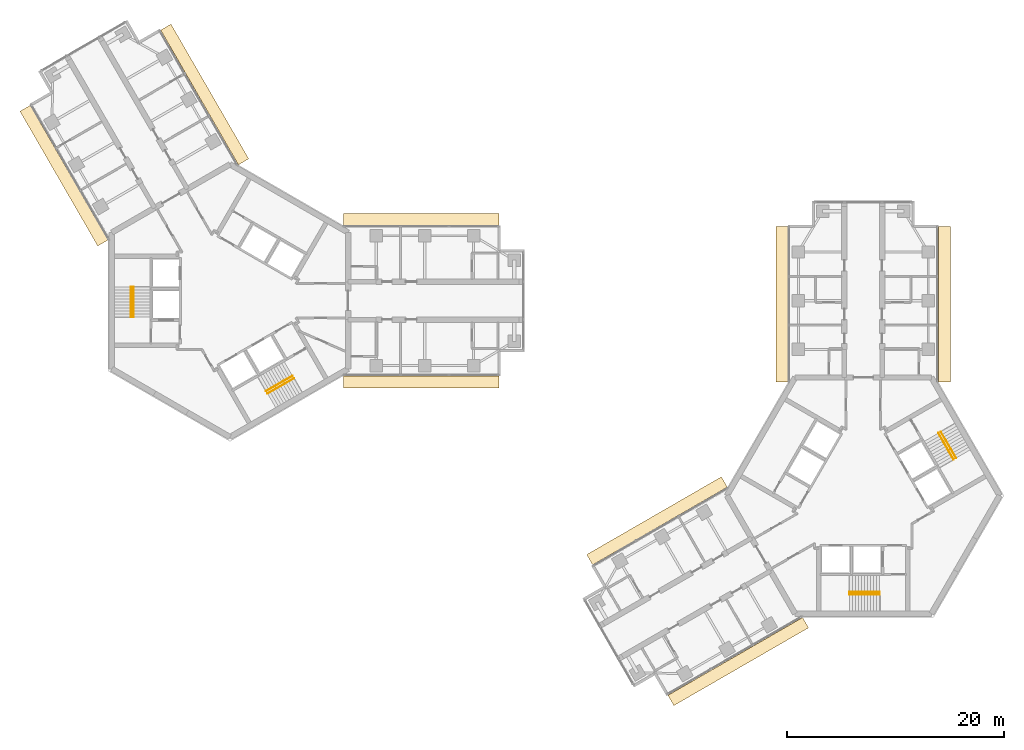
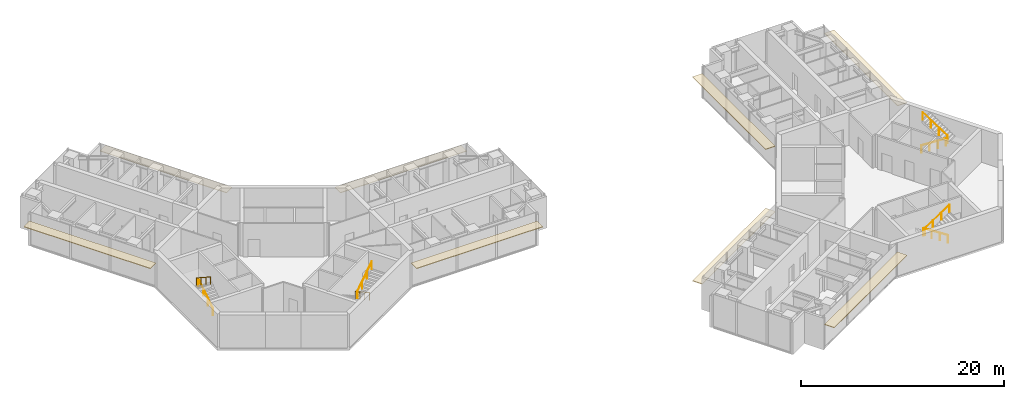
# One storey, part 17 of 17: 8 coverings, 8 railings.
"""IFC4 building model written with IfcOpenShell, lengths in metres."""

from ifc_helpers import new_model, si_unit, direction, frame, origin, origin_2d, place, context, subcontext, project, spatial, rectangle, circle, extrude, material, layer, layer_set, type_object, element, save


model = new_model("IFC4")

# Units and contexts
model_context = context("Model", 3, precision=1e-05, world=origin(), true_north=direction((0.0, 1.0)))
body_context = subcontext(model_context, "Body", "Model", "MODEL_VIEW")
ifc_project = project(units=[si_unit("LENGTHUNIT", "METRE"), si_unit("AREAUNIT", "SQUARE_METRE"), si_unit("VOLUMEUNIT", "CUBIC_METRE"), si_unit("PLANEANGLEUNIT", "RADIAN"), si_unit("MASSUNIT", "GRAM", prefix="KILO")], contexts=[model_context])

# Site, building, storey
site_placement = place(None, origin())
site = spatial("IfcSite", under=ifc_project, at=site_placement, CompositionType="ELEMENT")
building_placement = place(site_placement, origin())
building = spatial("IfcBuilding", under=site, at=building_placement, Name="Upepo Twin Towers", CompositionType="ELEMENT")
storey_placement = place(building_placement, frame((0.0, 0.0, 198.5)))
storey = spatial("IfcBuildingStorey", under=building, at=storey_placement, Name="L48", CompositionType="ELEMENT", Elevation=198.5)

# Coverings
ifc_material_1 = material(Name="Anodised aluminium, pale silver", Category="aluminium")
ifc_layer = layer(ifc_material_1, 0.080078125)
ifc_layer_set = layer_set([ifc_layer], Name="Brise-soleil blade 1100 pale aluminium")
covering_type = type_object("IfcCoveringType", Name="Brise-soleil blade 1100 pale aluminium", PredefinedType="USERDEFINED", material=ifc_layer_set)
for number, where, z_axis, x_axis, name in (
    (1, (17.66845703125, 7.50244140625, 2.909912109375), (0.0, 0.0, 1.0), (1.0, 0.0, 0.0), "T1 L48 wing A brise-soleil L"),
    (2, (17.66845703125, -7.50244140625, 2.909912109375), (0.0, 0.0, 1.0), (1.0, 0.0, 0.0), "T1 L48 wing A brise-soleil R"),
    (3, (-15.33154296875, 11.550048828125, 2.909912109375), (0.0, 0.0, 1.0), (-0.50000003023, 0.866025386331, 0.0), "T1 L48 wing B brise-soleil L"),
    (4, (-2.3369140625, 19.052734375, 2.909912109375), (0.0, 0.0, 1.0), (-0.49999996977, 0.866025421238, 0.0), "T1 L48 wing B brise-soleil R"),
    (5, (50.99755859375, -0.33154296875, 2.909912109375), (0.0, 0.0, 1.0), (0.0, 1.0, 0.0), "T2 L48 wing A brise-soleil L"),
    (6, (66.00244140625, -0.33154296875, 2.909912109375), (0.0, 0.0, 1.0), (0.0, 1.0, 0.0), "T2 L48 wing A brise-soleil R"),
    (7, (46.949951171875, -33.33154296875, 2.909912109375), (0.0, 0.0, 1.0), (-0.866025386331, -0.50000003023, 0.0), "T2 L48 wing B brise-soleil L"),
    (8, (39.447265625, -20.3369140625, 2.909912109375), (0.0, 0.0, 1.0), (-0.866025421238, -0.49999996977, 0.0), "T2 L48 wing B brise-soleil R"),
):
    element("IfcCovering", number, at=place(storey_placement, frame(where, z_axis=z_axis, x_axis=x_axis)), inside=storey, type_object=covering_type, Name=name, ObjectType="SUNSHADE", PredefinedType="USERDEFINED", context=body_context, shape_type="SweptSolid", body=[
        extrude(rectangle(XDim=14.36279296875, YDim=1.10009765625, at=origin_2d()), origin(), (0.0, 0.0, 1.0), 0.080078125),
    ])

# Railings
ifc_material_2 = material(Name="Stainless steel", Category="steel")
railing_type = type_object("IfcRailingType", Name="Stair handrail 900", PredefinedType="HANDRAIL", material=ifc_material_2)
railing_1_placement = place(storey_placement, frame((-8.89990234375, -1.52001953125, 0.181884765625)))
element("IfcRailing", 9, at=railing_1_placement, inside=storey, type_object=railing_type, Name="T1 stair S1 L48 handrail 1", PredefinedType="HANDRAIL", context=body_context, shape_type="SweptSolid", body=[
    extrude(circle(Radius=0.02392578125, at=origin_2d()), frame((0.0, 0.0, 0.8759765625), z_axis=(0.0, 0.838705829183, 0.544584733623), x_axis=(-1.0, 0.0, 0.0)), (0.0, 0.0, 1.0), 3.338623046875),
    extrude(circle(Radius=0.02099609375, at=origin_2d()), origin(), (0.0, 0.0, 1.0), 0.851806640625),
    extrude(circle(Radius=0.02099609375, at=origin_2d()), frame((0.0, 0.933349609375, 0.60595703125)), (0.0, 0.0, 1.0), 0.851806640625),
    extrude(circle(Radius=0.02099609375, at=origin_2d()), frame((0.0, 1.86669921875, 1.212158203125)), (0.0, 0.0, 1.0), 0.851806640625),
    extrude(circle(Radius=0.02099609375, at=origin_2d()), frame((0.0, 2.800048828125, 1.818115234375)), (0.0, 0.0, 1.0), 0.851806640625),
])
railing_2_placement = place(storey_placement, frame((-9.158447265625, 1.280029296875, 2.181884765625)))
element("IfcRailing", 10, at=railing_2_placement, inside=storey, type_object=railing_type, Name="T1 stair S1 L48 handrail 2", PredefinedType="HANDRAIL", context=body_context, shape_type="SweptSolid", body=[
    extrude(circle(Radius=0.02392578125, at=origin_2d()), frame((0.0, 0.0, 0.8759765625), z_axis=(0.0, -0.838705829183, 0.544584733623), x_axis=(1.0, 0.0, 0.0)), (0.0, 0.0, 1.0), 3.338623046875),
    extrude(circle(Radius=0.02099609375, at=origin_2d()), origin(), (0.0, 0.0, 1.0), 0.851806640625),
    extrude(circle(Radius=0.02099609375, at=origin_2d()), frame((0.0, -0.933349609375, 0.60595703125)), (0.0, 0.0, 1.0), 0.851806640625),
    extrude(circle(Radius=0.02099609375, at=origin_2d()), frame((0.0, -1.86669921875, 1.212158203125)), (0.0, 0.0, 1.0), 0.851806640625),
    extrude(circle(Radius=0.02099609375, at=origin_2d()), frame((0.0, -2.800048828125, 1.818115234375)), (0.0, 0.0, 1.0), 0.851806640625),
])
railing_3_placement = place(storey_placement, frame((5.766357421875, -6.947509765625, 0.181884765625)))
element("IfcRailing", 11, at=railing_3_placement, inside=storey, type_object=railing_type, Name="T1 stair S2 L48 handrail 1", PredefinedType="HANDRAIL", context=body_context, shape_type="SweptSolid", body=[
    extrude(circle(Radius=0.02392578125, at=origin_2d()), frame((0.0, 0.0, 0.8759765625), z_axis=(-0.726314030065, -0.419392968428, 0.544589265193), x_axis=(0.500049511043, -0.865996816683, 0.0)), (0.0, 0.0, 1.0), 3.338623046875),
    extrude(circle(Radius=0.02099609375, at=origin_2d()), origin(), (0.0, 0.0, 1.0), 0.851806640625),
    extrude(circle(Radius=0.02099609375, at=origin_2d()), frame((-0.808349609375, -0.466796875, 0.60595703125)), (0.0, 0.0, 1.0), 0.851806640625),
    extrude(circle(Radius=0.02099609375, at=origin_2d()), frame((-1.616455078125, -0.933349609375, 1.212158203125)), (0.0, 0.0, 1.0), 0.851806640625),
    extrude(circle(Radius=0.02099609375, at=origin_2d()), frame((-2.4248046875, -1.400146484375, 1.818115234375)), (0.0, 0.0, 1.0), 0.851806640625),
])
railing_4_placement = place(storey_placement, frame((3.470703125, -8.5712890625, 2.181884765625)))
element("IfcRailing", 12, at=railing_4_placement, inside=storey, type_object=railing_type, Name="T1 stair S2 L48 handrail 2", PredefinedType="HANDRAIL", context=body_context, shape_type="SweptSolid", body=[
    extrude(circle(Radius=0.02392578125, at=origin_2d()), frame((0.0, 0.0, 0.8759765625), z_axis=(0.726336304947, 0.419332699614, 0.544605966869), x_axis=(-0.49998411664, 0.866034573852, 0.0)), (0.0, 0.0, 1.0), 3.33837890625),
    extrude(circle(Radius=0.02099609375, at=origin_2d()), origin(), (0.0, 0.0, 1.0), 0.851806640625),
    extrude(circle(Radius=0.02099609375, at=origin_2d()), frame((0.808349609375, 0.466552734375, 0.60595703125)), (0.0, 0.0, 1.0), 0.851806640625),
    extrude(circle(Radius=0.02099609375, at=origin_2d()), frame((1.616455078125, 0.933349609375, 1.212158203125)), (0.0, 0.0, 1.0), 0.851806640625),
    extrude(circle(Radius=0.02099609375, at=origin_2d()), frame((2.4248046875, 1.39990234375, 1.818115234375)), (0.0, 0.0, 1.0), 0.851806640625),
])
railing_5_placement = place(storey_placement, frame((60.02001953125, -26.89990234375, 0.181884765625)))
element("IfcRailing", 13, at=railing_5_placement, inside=storey, type_object=railing_type, Name="T2 stair S1 L48 handrail 1", PredefinedType="HANDRAIL", context=body_context, shape_type="SweptSolid", body=[
    extrude(circle(Radius=0.02392578125, at=origin_2d()), frame((0.0, 0.0, 0.8759765625), z_axis=(-0.838705829183, 0.0, 0.544584733623), x_axis=(0.0, -1.0, 0.0)), (0.0, 0.0, 1.0), 3.338623046875),
    extrude(circle(Radius=0.02099609375, at=origin_2d()), origin(), (0.0, 0.0, 1.0), 0.851806640625),
    extrude(circle(Radius=0.02099609375, at=origin_2d()), frame((-0.933349609375, 0.0, 0.60595703125)), (0.0, 0.0, 1.0), 0.851806640625),
    extrude(circle(Radius=0.02099609375, at=origin_2d()), frame((-1.86669921875, 0.0, 1.212158203125)), (0.0, 0.0, 1.0), 0.851806640625),
    extrude(circle(Radius=0.02099609375, at=origin_2d()), frame((-2.800048828125, 0.0, 1.818115234375)), (0.0, 0.0, 1.0), 0.851806640625),
])
railing_6_placement = place(storey_placement, frame((57.219970703125, -27.158447265625, 2.181884765625)))
element("IfcRailing", 14, at=railing_6_placement, inside=storey, type_object=railing_type, Name="T2 stair S1 L48 handrail 2", PredefinedType="HANDRAIL", context=body_context, shape_type="SweptSolid", body=[
    extrude(circle(Radius=0.02392578125, at=origin_2d()), frame((0.0, 0.0, 0.8759765625), z_axis=(0.838705829183, 0.0, 0.544584733623), x_axis=(0.0, 1.0, 0.0)), (0.0, 0.0, 1.0), 3.338623046875),
    extrude(circle(Radius=0.02099609375, at=origin_2d()), origin(), (0.0, 0.0, 1.0), 0.851806640625),
    extrude(circle(Radius=0.02099609375, at=origin_2d()), frame((0.933349609375, 0.0, 0.60595703125)), (0.0, 0.0, 1.0), 0.851806640625),
    extrude(circle(Radius=0.02099609375, at=origin_2d()), frame((1.86669921875, 0.0, 1.212158203125)), (0.0, 0.0, 1.0), 0.851806640625),
    extrude(circle(Radius=0.02099609375, at=origin_2d()), frame((2.800048828125, 0.0, 1.818115234375)), (0.0, 0.0, 1.0), 0.851806640625),
])
railing_7_placement = place(storey_placement, frame((65.447509765625, -12.233642578125, 0.181884765625)))
element("IfcRailing", 15, at=railing_7_placement, inside=storey, type_object=railing_type, Name="T2 stair S2 L48 handrail 1", PredefinedType="HANDRAIL", context=body_context, shape_type="SweptSolid", body=[
    extrude(circle(Radius=0.02392578125, at=origin_2d()), frame((0.0, 0.0, 0.8759765625), z_axis=(0.419392968428, -0.726314030065, 0.544589265193), x_axis=(0.865996816683, 0.500049511043, 0.0)), (0.0, 0.0, 1.0), 3.338623046875),
    extrude(circle(Radius=0.02099609375, at=origin_2d()), origin(), (0.0, 0.0, 1.0), 0.851806640625),
    extrude(circle(Radius=0.02099609375, at=origin_2d()), frame((0.466796875, -0.808349609375, 0.60595703125)), (0.0, 0.0, 1.0), 0.851806640625),
    extrude(circle(Radius=0.02099609375, at=origin_2d()), frame((0.933349609375, -1.616455078125, 1.212158203125)), (0.0, 0.0, 1.0), 0.851806640625),
    extrude(circle(Radius=0.02099609375, at=origin_2d()), frame((1.400146484375, -2.4248046875, 1.818115234375)), (0.0, 0.0, 1.0), 0.851806640625),
])
railing_8_placement = place(storey_placement, frame((67.0712890625, -14.529296875, 2.181884765625)))
element("IfcRailing", 16, at=railing_8_placement, inside=storey, type_object=railing_type, Name="T2 stair S2 L48 handrail 2", PredefinedType="HANDRAIL", context=body_context, shape_type="SweptSolid", body=[
    extrude(circle(Radius=0.02392578125, at=origin_2d()), frame((0.0, 0.0, 0.8759765625), z_axis=(-0.419332699614, 0.726336304947, 0.544605966869), x_axis=(-0.866034573852, -0.49998411664, 0.0)), (0.0, 0.0, 1.0), 3.33837890625),
    extrude(circle(Radius=0.02099609375, at=origin_2d()), origin(), (0.0, 0.0, 1.0), 0.851806640625),
    extrude(circle(Radius=0.02099609375, at=origin_2d()), frame((-0.466552734375, 0.808349609375, 0.60595703125)), (0.0, 0.0, 1.0), 0.851806640625),
    extrude(circle(Radius=0.02099609375, at=origin_2d()), frame((-0.933349609375, 1.616455078125, 1.212158203125)), (0.0, 0.0, 1.0), 0.851806640625),
    extrude(circle(Radius=0.02099609375, at=origin_2d()), frame((-1.39990234375, 2.4248046875, 1.818115234375)), (0.0, 0.0, 1.0), 0.851806640625),
])

save(model, "model.ifc")
